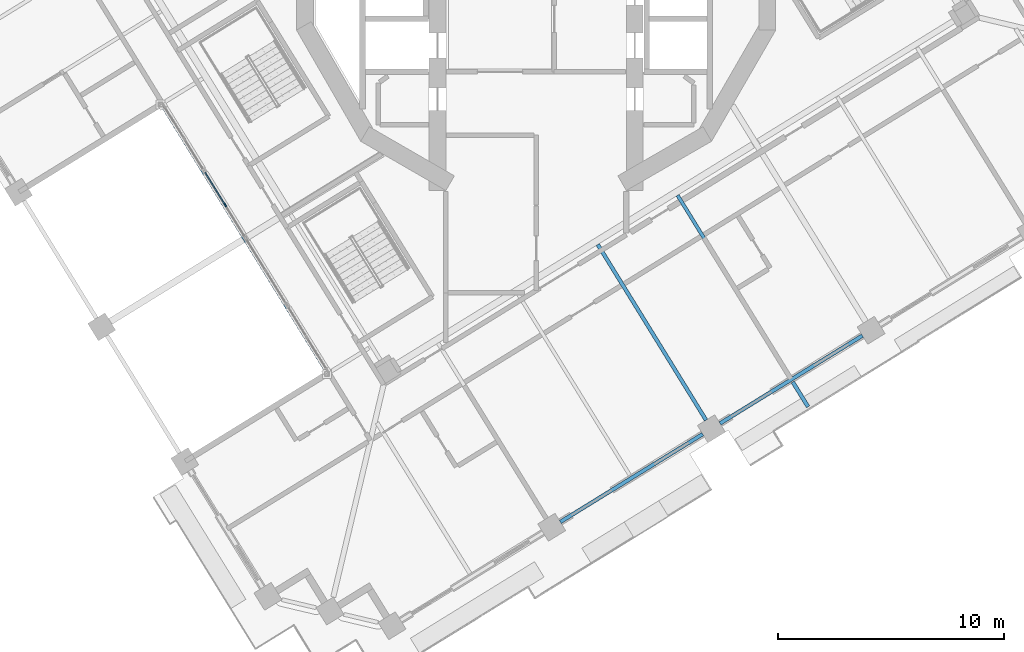
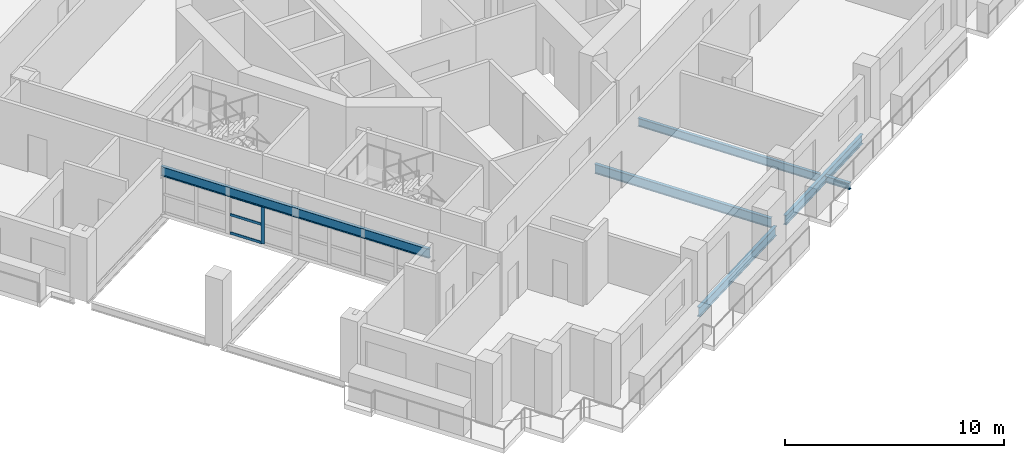
# One storey, part 4 of 22: 6 beams, 4 members, 1 element without a shape of its own.
"""IFC4 building model written with IfcOpenShell, lengths in metres."""

from ifc_helpers import new_model, si_unit, direction, frame, origin, origin_2d, place, context, subcontext, project, spatial, rectangle, i_section, extrude, material, material_profile, profile_set, type_object, element, aggregate, save


model = new_model("IFC4")

# Units and contexts
model_context = context("Model", 3, precision=1e-05, world=origin(), true_north=direction((0.0, 1.0)))
body_context = subcontext(model_context, "Body", "Model", "MODEL_VIEW")
ifc_project = project(units=[si_unit("LENGTHUNIT", "METRE"), si_unit("AREAUNIT", "SQUARE_METRE"), si_unit("VOLUMEUNIT", "CUBIC_METRE"), si_unit("PLANEANGLEUNIT", "RADIAN"), si_unit("MASSUNIT", "GRAM", prefix="KILO")], contexts=[model_context])

# Site, building, storey
site_placement = place(None, origin())
site = spatial("IfcSite", under=ifc_project, at=site_placement, CompositionType="ELEMENT")
building_placement = place(site_placement, origin())
building = spatial("IfcBuilding", under=site, at=building_placement, Name="Cantera Rosa Tower", CompositionType="ELEMENT")
storey_placement = place(building_placement, frame((0.0, 0.0, 166.60009765625)))
storey = spatial("IfcBuildingStorey", under=building, at=storey_placement, Name="L36", CompositionType="ELEMENT", Elevation=166.60009765625)

# Curtain wall, members
ifc_material_1 = material(Name="Aluminium frame with clear glass", Category="aluminium")
curtain_wall_type = type_object("IfcCurtainWallType", Name="CW1 TERRACE POCKET GLAZING", PredefinedType="NOTDEFINED", material=ifc_material_1)
curtain_wall_placement = place(storey_placement, origin())
curtain_wall = element("IfcCurtainWall", 1, at=curtain_wall_placement, inside=storey, type_object=curtain_wall_type, Name="CW1 CW1", PredefinedType="NOTDEFINED")
ifc_material_2 = material(Name="Anodised bronze aluminium", Category="aluminium")
ifc_material_profile_1 = material_profile(ifc_material_2, rectangle(XDim=0.06005859375, YDim=0.179931640625, at=origin_2d()), Name="CW-MULLION 60x180 POCKET")
ifc_profile_set_1 = profile_set([ifc_material_profile_1], Name="Anodised bronze aluminium")
member_type_1 = type_object("IfcMemberType", Name="CW-MULLION 60x180 POCKET", PredefinedType="MULLION", material=ifc_profile_set_1)
member_1_placement = place(storey_placement, frame((-13.78662109375, -10.602294921875, 0.0), z_axis=(0.0, 0.0, 1.0), x_axis=(0.851116672416, 0.524976580369, 0.0)))
member_1 = element("IfcMember", 2, at=member_1_placement, type_object=member_type_1, Name="CW1 mullion 4", PredefinedType="MULLION", context=body_context, shape_type="SweptSolid", body=[
    extrude(rectangle(XDim=0.06005859375, YDim=0.179931640625, at=origin_2d()), origin(), (0.0, 0.0, 1.0), 2.10400390625),
])
ifc_material_3 = material(Name="Anodised bronze aluminium", Category="aluminium")
ifc_material_profile_2 = material_profile(ifc_material_3, rectangle(XDim=0.06005859375, YDim=0.139892578125, at=origin_2d()), Name="CW-TRANSOM 60x140 POCKET")
ifc_profile_set_2 = profile_set([ifc_material_profile_2], Name="Anodised bronze aluminium")
member_type_2 = type_object("IfcMemberType", Name="CW-TRANSOM 60x140 POCKET", PredefinedType="USERDEFINED", material=ifc_profile_set_2)
member_2_placement = place(storey_placement, frame((-14.67578125, -9.160888671875, 0.02978515625), z_axis=(0.525030443539, -0.851083446765, 0.0), x_axis=(0.851083446765, 0.525030443539, 0.0)))
member_2 = element("IfcMember", 3, at=member_2_placement, type_object=member_type_2, Name="CW1 transom 3.1", ObjectType="TRANSOM", PredefinedType="USERDEFINED", context=body_context, shape_type="SweptSolid", body=[
    extrude(rectangle(XDim=0.06005859375, YDim=0.139892578125, at=origin_2d()), origin(), (0.0, 0.0, 1.0), 1.663818359375),
])
member_3_placement = place(storey_placement, frame((-14.67578125, -9.160888671875, 1.052001953125), z_axis=(0.525030443539, -0.851083446765, 0.0), x_axis=(0.851083446765, 0.525030443539, 0.0)))
member_3 = element("IfcMember", 4, at=member_3_placement, type_object=member_type_2, Name="CW1 transom 3.2", ObjectType="TRANSOM", PredefinedType="USERDEFINED", context=body_context, shape_type="SweptSolid", body=[
    extrude(rectangle(XDim=0.06005859375, YDim=0.139892578125, at=origin_2d()), origin(), (0.0, 0.0, 1.0), 1.663818359375),
])
member_4_placement = place(storey_placement, frame((-14.67578125, -9.160888671875, 2.073974609375), z_axis=(0.525030443539, -0.851083446765, 0.0), x_axis=(0.851083446765, 0.525030443539, 0.0)))
member_4 = element("IfcMember", 5, at=member_4_placement, type_object=member_type_2, Name="CW1 transom 3.3", ObjectType="TRANSOM", PredefinedType="USERDEFINED", context=body_context, shape_type="SweptSolid", body=[
    extrude(rectangle(XDim=0.06005859375, YDim=0.139892578125, at=origin_2d()), origin(), (0.0, 0.0, 1.0), 1.663818359375),
])
aggregate(curtain_wall, [member_1, member_2, member_3, member_4])

# Beams
ifc_material_4 = material(Name="Steel ASTM A992 (Fy 345 MPa)", Category="steel")
ifc_material_profile_3 = material_profile(ifc_material_4, i_section(OverallWidth=0.166015625, OverallDepth=0.528076171875, WebThickness=0.009765625, FlangeThickness=0.013671875, FilletRadius=0.0126953125, at=origin_2d()), Name="W530X74")
ifc_profile_set_3 = profile_set([ifc_material_profile_3], Name="Steel ASTM A992 (Fy 345 MPa)")
beam_type_1 = type_object("IfcBeamType", Name="STEEL BEAM W530X74", PredefinedType="BEAM", material=ifc_profile_set_3)
beam_1_placement = place(storey_placement, frame((7.536376953125, -20.142578125, -0.51416015625), z_axis=(-0.524965057427, 0.851123779764, 0.0), x_axis=(-0.851123779764, -0.524965057427, 0.0)))
element("IfcBeam", 6, at=beam_1_placement, inside=storey, type_object=beam_type_1, Name="G-Z3-10 L36", PredefinedType="BEAM", context=body_context, shape_type="SweptSolid", body=[
    extrude(i_section(OverallWidth=0.166015625, OverallDepth=0.528076171875, WebThickness=0.009765625, FlangeThickness=0.013671875, FilletRadius=0.0126953125, at=origin_2d()), origin(), (0.0, 0.0, 1.0), 9.150146484375),
])
beam_2_placement = place(storey_placement, frame((-16.583251953125, -6.16357421875, 2.369873046875), z_axis=(0.524975617117, -0.851117266557, 0.0), x_axis=(0.851117266557, 0.524975617117, 0.0)))
element("IfcBeam", 7, at=beam_2_placement, inside=storey, type_object=beam_type_1, Name="LINTEL SL-L36", PredefinedType="BEAM", context=body_context, shape_type="SweptSolid", body=[
    extrude(i_section(OverallWidth=0.166015625, OverallDepth=0.528076171875, WebThickness=0.009765625, FlangeThickness=0.013671875, FilletRadius=0.0126953125, at=origin_2d()), origin(), (0.0, 0.0, 1.0), 13.93994140625),
])
ifc_material_5 = material(Name="Steel ASTM A992 (Fy 345 MPa)", Category="steel")
ifc_material_profile_4 = material_profile(ifc_material_5, i_section(OverallWidth=0.1708984375, OverallDepth=0.35595703125, WebThickness=0.00732421875, FlangeThickness=0.01171875, FilletRadius=0.010009765625, at=origin_2d()), Name="W360X51")
ifc_profile_set_4 = profile_set([ifc_material_profile_4], Name="Steel ASTM A992 (Fy 345 MPa)")
beam_type_2 = type_object("IfcBeamType", Name="STEEL JOIST W360X51", PredefinedType="JOIST", material=ifc_profile_set_4)
beam_3_placement = place(storey_placement, frame((11.381591796875, -18.4521484375, -0.427978515625), z_axis=(0.524836157482, -0.851203270552, 0.0), x_axis=(0.851203270552, 0.524836157482, 0.0)))
element("IfcBeam", 8, at=beam_3_placement, inside=storey, type_object=beam_type_2, Name="BS-Z3-14 L36", PredefinedType="JOIST", context=body_context, shape_type="SweptSolid", body=[
    extrude(i_section(OverallWidth=0.1708984375, OverallDepth=0.35595703125, WebThickness=0.00732421875, FlangeThickness=0.01171875, FilletRadius=0.010009765625, at=origin_2d()), origin(), (0.0, 0.0, 1.0), 1.290283203125),
])
ifc_material_6 = material(Name="Steel ASTM A992 (Fy 345 MPa)", Category="steel")
ifc_material_profile_5 = material_profile(ifc_material_6, i_section(OverallWidth=0.154052734375, OverallDepth=0.4599609375, WebThickness=0.009033203125, FlangeThickness=0.015380859375, FilletRadius=0.01025390625, at=origin_2d()), Name="W460X68")
ifc_profile_set_5 = profile_set([ifc_material_profile_5], Name="Steel ASTM A992 (Fy 345 MPa)")
beam_type_3 = type_object("IfcBeamType", Name="STEEL JOIST W460X68", PredefinedType="JOIST", material=ifc_profile_set_5)
beam_4_placement = place(storey_placement, frame((11.234619140625, -18.2138671875, -0.47998046875), z_axis=(-0.524992267726, 0.85110699611, 0.0), x_axis=(-0.85110699611, -0.524992267726, 0.0)))
element("IfcBeam", 9, at=beam_4_placement, inside=storey, type_object=beam_type_3, Name="B-Z3-13 L36", PredefinedType="JOIST", context=body_context, shape_type="SweptSolid", body=[
    extrude(i_section(OverallWidth=0.154052734375, OverallDepth=0.4599609375, WebThickness=0.009033203125, FlangeThickness=0.015380859375, FilletRadius=0.01025390625, at=origin_2d()), origin(), (0.0, 0.0, 1.0), 9.449951171875),
])
ifc_material_7 = material(Name="Steel ASTM A992 (Fy 345 MPa)", Category="steel")
ifc_material_profile_6 = material_profile(ifc_material_7, i_section(OverallWidth=0.166015625, OverallDepth=0.528076171875, WebThickness=0.009765625, FlangeThickness=0.013671875, FilletRadius=0.0126953125, at=origin_2d()), Name="W530X74")
ifc_profile_set_6 = profile_set([ifc_material_profile_6], Name="Steel ASTM A992 (Fy 345 MPa)")
beam_type_4 = type_object("IfcBeamType", Name="STEEL SPANDREL BEAM W530X74", PredefinedType="SPANDREL", material=ifc_profile_set_6)
for number, where, z_axis, x_axis, name in (
    (10, (1.07421875, -24.656982421875, -0.51416015625), (0.85112578684, 0.524961803349, 0.0), (-0.524961803349, 0.85112578684, 0.0), "EB-Z3-23 L36"),
    (11, (8.155517578125, -20.289306640625, -0.51416015625), (0.851111085575, 0.524985637909, 0.0), (-0.524985637909, 0.851111085575, 0.0), "EB-Z3-24 L36"),
):
    element("IfcBeam", number, at=place(storey_placement, frame(where, z_axis=z_axis, x_axis=x_axis)), inside=storey, type_object=beam_type_4, Name=name, PredefinedType="SPANDREL", context=body_context, shape_type="SweptSolid", body=[
        extrude(i_section(OverallWidth=0.166015625, OverallDepth=0.528076171875, WebThickness=0.009765625, FlangeThickness=0.013671875, FilletRadius=0.0126953125, at=origin_2d()), origin(), (0.0, 0.0, 1.0), 7.420166015625),
    ])

save(model, "model.ifc")
